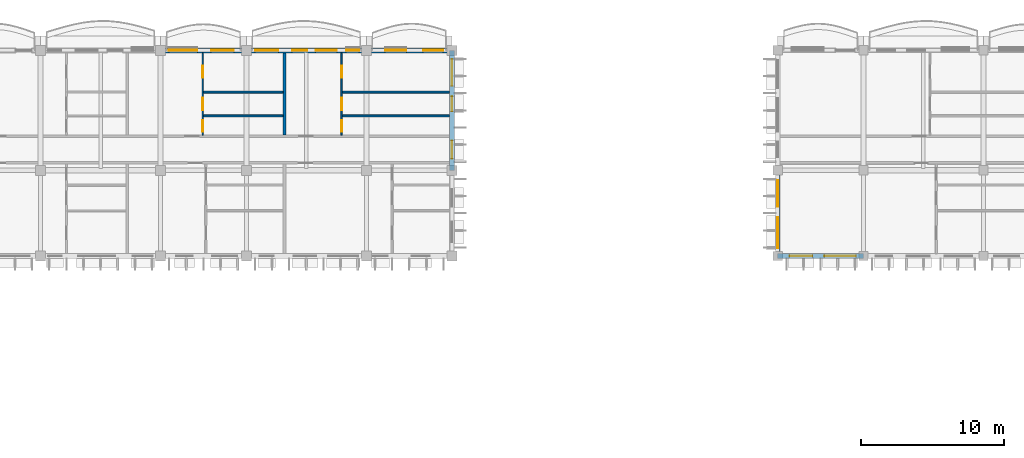
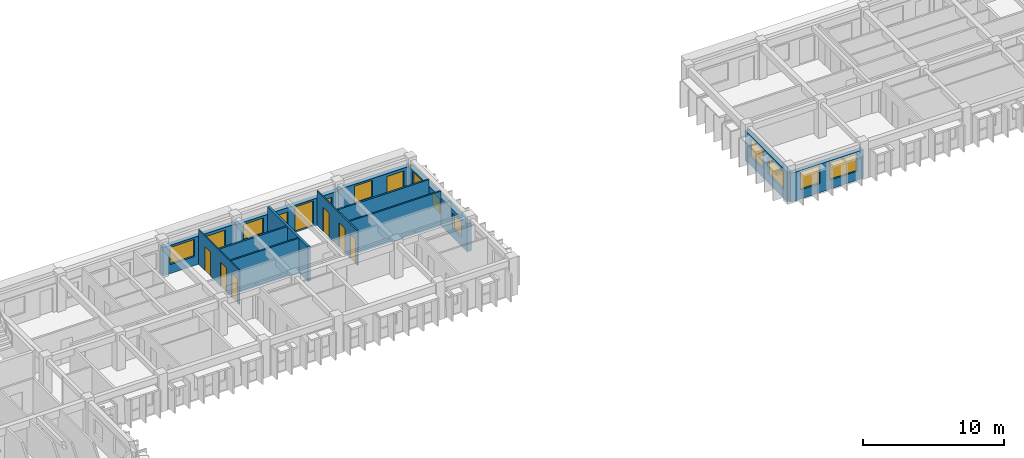
# One storey, part 26 of 70: 13 walls, 12 windows, 9 doors, 21 openings.
"""IFC4 building model written with IfcOpenShell, lengths in metres."""

from ifc_helpers import new_model, si_unit, direction, frame, frame_2d, origin, place, context, subcontext, project, spatial, rectangle, extrude, material, layer, layer_set, type_object, element, fill, save


model = new_model("IFC4")

# Units and contexts
model_context = context("Model", 3, precision=1e-05, world=origin(), true_north=direction((0.0, 1.0)))
body_context = subcontext(model_context, "Body", "Model", "MODEL_VIEW")
ifc_project = project(units=[si_unit("LENGTHUNIT", "METRE"), si_unit("AREAUNIT", "SQUARE_METRE"), si_unit("VOLUMEUNIT", "CUBIC_METRE"), si_unit("PLANEANGLEUNIT", "RADIAN"), si_unit("MASSUNIT", "GRAM", prefix="KILO"), si_unit("THERMODYNAMICTEMPERATUREUNIT", "KELVIN")], contexts=[model_context])

# Site, building, storey
site_placement = place(None, origin())
site = spatial("IfcSite", under=ifc_project, at=site_placement, CompositionType="ELEMENT")
building_placement = place(site_placement, origin())
building = spatial("IfcBuilding", under=site, at=building_placement, Name="Thalorik Housing Commons", CompositionType="ELEMENT")
storey_placement = place(building_placement, frame((0.0, 0.0, 14.699951171875)))
storey = spatial("IfcBuildingStorey", under=building, at=storey_placement, Name="L04", CompositionType="ELEMENT", Elevation=14.699951171875)

# Wall, openings, windows
ifc_material_1 = material(Name="White precast concrete C40/50", Category="concrete")
ifc_layer_1 = layer(ifc_material_1, 0.3349609375, Name="White precast concrete C40/50", Category="concrete")
ifc_layer_set_1 = layer_set([ifc_layer_1], Name="White precast concrete C40/50")
wall_type_1 = type_object("IfcWallType", Name="ARC-WAL-EXT-335", PredefinedType="STANDARD", material=ifc_layer_set_1)
wall_1_placement = place(storey_placement, frame((80.39990234375, 115.199951171875, 0.0), z_axis=(0.0, 0.0, 1.0), x_axis=(0.0, -1.0, 0.0)))
wall_1 = element("IfcWall", 1, at=wall_1_placement, inside=storey, type_object=wall_type_1, Name="L04 Exterior Wall WAL-EXT-L04-B-0537", PredefinedType="STANDARD", context=body_context, shape_type="SweptSolid", body=[
    extrude(rectangle(XDim=6.0, YDim=0.3349609375, at=frame_2d((3.0, 0.0))), origin(), (0.0, 0.0, 1.0), 2.574951171875),
])
opening_1_placement = place(wall_1_placement, frame((0.705078125, 0.0, 0.780029296875)))
opening_1 = element("IfcOpeningElement", 2, at=opening_1_placement, cuts=wall_1, Name="Opening W-20", PredefinedType="OPENING", context=body_context, shape_type="SweptSolid", body=[
    extrude(rectangle(XDim=1.85009765625, YDim=1.60009765625, at=frame_2d((0.925048828125, 0.800048828125))), frame((0.0, 0.177490234375, 0.0), z_axis=(0.0, -1.0, 0.0), x_axis=(1.0, 0.0, 0.0)), (0.0, 0.0, 1.0), 0.35498046875),
])
opening_2_placement = place(wall_1_placement, frame((3.27001953125, 0.0, 0.780029296875)))
opening_2 = element("IfcOpeningElement", 3, at=opening_2_placement, cuts=wall_1, Name="Opening W-29", PredefinedType="OPENING", context=body_context, shape_type="SweptSolid", body=[
    extrude(rectangle(XDim=2.199951171875, YDim=1.5, at=frame_2d((1.10009765625, 0.75))), frame((0.0, 0.177490234375, 0.0), z_axis=(0.0, -1.0, 0.0), x_axis=(1.0, 0.0, 0.0)), (0.0, 0.0, 1.0), 0.35498046875),
])
ifc_material_2 = material(Name="Anodised aluminium and solar-control low-E glass", Category="aluminium")
window_type_1 = type_object("IfcWindowType", Name="ARC-WIN-20", PartitioningType="DOUBLE_PANEL_VERTICAL", PredefinedType="WINDOW", material=ifc_material_2)
window_1_placement = place(opening_1_placement, origin())
window_1 = element("IfcWindow", 4, at=window_1_placement, inside=storey, type_object=window_type_1, Name="L04 Facade Window 965", OverallHeight=1.60009765625, OverallWidth=1.85009765625, PartitioningType="DOUBLE_PANEL_VERTICAL", PredefinedType="WINDOW", context=body_context, shape_type="SweptSolid", body=[
    extrude(rectangle(XDim=1.85009765625, YDim=1.60009765625, at=frame_2d((0.925048828125, 0.800048828125))), frame((0.0, 0.030029296875, 0.0), z_axis=(0.0, -1.0, 0.0), x_axis=(1.0, 0.0, 0.0)), (0.0, 0.0, 1.0), 0.06005859375),
])
fill(opening_1, window_1)
window_type_2 = type_object("IfcWindowType", Name="ARC-WIN-29", PartitioningType="DOUBLE_PANEL_VERTICAL", PredefinedType="WINDOW", material=ifc_material_2)
window_2_placement = place(opening_2_placement, origin())
window_2 = element("IfcWindow", 5, at=window_2_placement, inside=storey, type_object=window_type_2, Name="L04 Facade Window 966", OverallHeight=1.5, OverallWidth=2.199951171875, PartitioningType="DOUBLE_PANEL_VERTICAL", PredefinedType="WINDOW", context=body_context, shape_type="SweptSolid", body=[
    extrude(rectangle(XDim=2.199951171875, YDim=1.5, at=frame_2d((1.10009765625, 0.75))), frame((0.0, 0.030029296875, 0.0), z_axis=(0.0, -1.0, 0.0), x_axis=(1.0, 0.0, 0.0)), (0.0, 0.0, 1.0), 0.06005859375),
])
fill(opening_2, window_2)

wall_2_placement = place(storey_placement, frame((80.39990234375, 109.199951171875, 0.0), z_axis=(0.0, 0.0, 1.0), x_axis=(1.0, 0.0, 0.0)))
wall_2 = element("IfcWall", 6, at=wall_2_placement, inside=storey, type_object=wall_type_1, Name="L04 Exterior Wall WAL-EXT-L04-B-0538", PredefinedType="STANDARD", context=body_context, shape_type="SweptSolid", body=[
    extrude(rectangle(XDim=6.0, YDim=0.3349609375, at=frame_2d((3.0, 0.0))), origin(), (0.0, 0.0, 1.0), 2.47509765625),
])
opening_3_placement = place(wall_2_placement, frame((0.830078125, 0.0, 0.780029296875)))
opening_3 = element("IfcOpeningElement", 7, at=opening_3_placement, cuts=wall_2, Name="Opening W-13", PredefinedType="OPENING", context=body_context, shape_type="SweptSolid", body=[
    extrude(rectangle(XDim=1.60009765625, YDim=1.550048828125, at=frame_2d((0.800048828125, 0.77490234375))), frame((0.0, 0.177490234375, 0.0), z_axis=(0.0, -1.0, 0.0), x_axis=(1.0, 0.0, 0.0)), (0.0, 0.0, 1.0), 0.35498046875),
])
opening_4_placement = place(wall_2_placement, frame((3.27001953125, 0.0, 0.780029296875)))
opening_4 = element("IfcOpeningElement", 8, at=opening_4_placement, cuts=wall_2, Name="Opening W-29", PredefinedType="OPENING", context=body_context, shape_type="SweptSolid", body=[
    extrude(rectangle(XDim=2.199951171875, YDim=1.5, at=frame_2d((1.10009765625, 0.75))), frame((0.0, 0.177490234375, 0.0), z_axis=(0.0, -1.0, 0.0), x_axis=(1.0, 0.0, 0.0)), (0.0, 0.0, 1.0), 0.35498046875),
])
window_type_3 = type_object("IfcWindowType", Name="ARC-WIN-13", PartitioningType="DOUBLE_PANEL_VERTICAL", PredefinedType="WINDOW", material=ifc_material_2)
window_3_placement = place(opening_3_placement, origin())
window_3 = element("IfcWindow", 9, at=window_3_placement, inside=storey, type_object=window_type_3, Name="L04 Facade Window 967", OverallHeight=1.550048828125, OverallWidth=1.60009765625, PartitioningType="DOUBLE_PANEL_VERTICAL", PredefinedType="WINDOW", context=body_context, shape_type="SweptSolid", body=[
    extrude(rectangle(XDim=1.60009765625, YDim=1.550048828125, at=frame_2d((0.800048828125, 0.77490234375))), frame((0.0, 0.030029296875, 0.0), z_axis=(0.0, -1.0, 0.0), x_axis=(1.0, 0.0, 0.0)), (0.0, 0.0, 1.0), 0.06005859375),
])
fill(opening_3, window_3)
window_4_placement = place(opening_4_placement, origin())
window_4 = element("IfcWindow", 10, at=window_4_placement, inside=storey, type_object=window_type_2, Name="L04 Facade Window 968", OverallHeight=1.5, OverallWidth=2.199951171875, PartitioningType="DOUBLE_PANEL_VERTICAL", PredefinedType="WINDOW", context=body_context, shape_type="SweptSolid", body=[
    extrude(rectangle(XDim=2.199951171875, YDim=1.5, at=frame_2d((1.10009765625, 0.75))), frame((0.0, 0.030029296875, 0.0), z_axis=(0.0, -1.0, 0.0), x_axis=(1.0, 0.0, 0.0)), (0.0, 0.0, 1.0), 0.06005859375),
])
fill(opening_4, window_4)

ifc_layer_2 = layer(ifc_material_1, 0.35009765625, Name="White precast concrete C40/50", Category="concrete")
ifc_layer_set_2 = layer_set([ifc_layer_2], Name="White precast concrete C40/50")
wall_type_2 = type_object("IfcWallType", Name="ARC-WAL-EXT-350", PredefinedType="STANDARD", material=ifc_layer_set_2)
wall_3_placement = place(storey_placement, frame((57.60009765625, 115.199951171875, 0.0), z_axis=(0.0, 0.0, 1.0), x_axis=(0.0, 1.0, 0.0)))
wall_3 = element("IfcWall", 11, at=wall_3_placement, inside=storey, type_object=wall_type_2, Name="L04 Exterior Wall WAL-EXT-L04-A-0119", PredefinedType="STANDARD", context=body_context, shape_type="SweptSolid", body=[
    extrude(rectangle(XDim=8.400146484375, YDim=0.35009765625, at=frame_2d((4.2001953125, 0.0))), origin(), (0.0, 0.0, 1.0), 2.425048828125),
])
opening_5_placement = place(wall_3_placement, frame((0.824951171875, 0.0, 0.780029296875)))
opening_5 = element("IfcOpeningElement", 12, at=opening_5_placement, cuts=wall_3, Name="Opening W-46", PredefinedType="OPENING", context=body_context, shape_type="SweptSolid", body=[
    extrude(rectangle(XDim=1.25, YDim=1.300048828125, at=frame_2d((0.625, 0.64990234375))), frame((0.0, 0.18505859375, 0.0), z_axis=(0.0, -1.0, 0.0), x_axis=(1.0, 0.0, 0.0)), (0.0, 0.0, 1.0), 0.3701171875),
])
opening_6_placement = place(wall_3_placement, frame((4.119873046875, 0.0, 0.780029296875)))
opening_6 = element("IfcOpeningElement", 13, at=opening_6_placement, cuts=wall_3, Name="Opening W-44", PredefinedType="OPENING", context=body_context, shape_type="SweptSolid", body=[
    extrude(rectangle(XDim=1.050048828125, YDim=1.199951171875, at=frame_2d((0.52490234375, 0.60009765625))), frame((0.0, 0.18505859375, 0.0), z_axis=(0.0, -1.0, 0.0), x_axis=(1.0, 0.0, 0.0)), (0.0, 0.0, 1.0), 0.3701171875),
])
opening_7_placement = place(wall_3_placement, frame((5.904541015625, 0.0, 0.780029296875)))
opening_7 = element("IfcOpeningElement", 14, at=opening_7_placement, cuts=wall_3, Name="Opening W-59", PredefinedType="OPENING", context=body_context, shape_type="SweptSolid", body=[
    extrude(rectangle(XDim=1.8798828125, YDim=1.52001953125, at=frame_2d((0.93994140625, 0.760009765625))), frame((0.0, 0.18505859375, 0.0), z_axis=(0.0, -1.0, 0.0), x_axis=(1.0, 0.0, 0.0)), (0.0, 0.0, 1.0), 0.3701171875),
])
window_type_4 = type_object("IfcWindowType", Name="ARC-WIN-44", PartitioningType="SINGLE_PANEL", PredefinedType="WINDOW", material=ifc_material_2)
window_5_placement = place(opening_6_placement, origin())
window_5 = element("IfcWindow", 15, at=window_5_placement, inside=storey, type_object=window_type_4, Name="L04 Facade Window 213", OverallHeight=1.199951171875, OverallWidth=1.050048828125, PartitioningType="SINGLE_PANEL", PredefinedType="WINDOW", context=body_context, shape_type="SweptSolid", body=[
    extrude(rectangle(XDim=1.050048828125, YDim=1.199951171875, at=frame_2d((0.52490234375, 0.60009765625))), frame((0.0, 0.030029296875, 0.0), z_axis=(0.0, -1.0, 0.0), x_axis=(1.0, 0.0, 0.0)), (0.0, 0.0, 1.0), 0.06005859375),
])
fill(opening_6, window_5)
window_type_5 = type_object("IfcWindowType", Name="ARC-WIN-46", PartitioningType="SINGLE_PANEL", PredefinedType="WINDOW", material=ifc_material_2)
window_6_placement = place(opening_5_placement, origin())
window_6 = element("IfcWindow", 16, at=window_6_placement, inside=storey, type_object=window_type_5, Name="L04 Facade Window 212", OverallHeight=1.300048828125, OverallWidth=1.25, PartitioningType="SINGLE_PANEL", PredefinedType="WINDOW", context=body_context, shape_type="SweptSolid", body=[
    extrude(rectangle(XDim=1.25, YDim=1.300048828125, at=frame_2d((0.625, 0.64990234375))), frame((0.0, 0.030029296875, 0.0), z_axis=(0.0, -1.0, 0.0), x_axis=(1.0, 0.0, 0.0)), (0.0, 0.0, 1.0), 0.06005859375),
])
fill(opening_5, window_6)
window_type_6 = type_object("IfcWindowType", Name="ARC-WIN-59", PartitioningType="DOUBLE_PANEL_VERTICAL", PredefinedType="WINDOW", material=ifc_material_2)
window_7_placement = place(opening_7_placement, origin())
window_7 = element("IfcWindow", 17, at=window_7_placement, inside=storey, type_object=window_type_6, Name="L04 Facade Window 214", OverallHeight=1.52001953125, OverallWidth=1.8798828125, PartitioningType="DOUBLE_PANEL_VERTICAL", PredefinedType="WINDOW", context=body_context, shape_type="SweptSolid", body=[
    extrude(rectangle(XDim=1.8798828125, YDim=1.52001953125, at=frame_2d((0.93994140625, 0.760009765625))), frame((0.0, 0.030029296875, 0.0), z_axis=(0.0, -1.0, 0.0), x_axis=(1.0, 0.0, 0.0)), (0.0, 0.0, 1.0), 0.06005859375),
])
fill(opening_7, window_7)

# Wall, openings, door, window
wall_4_placement = place(storey_placement, frame((57.60009765625, 123.60009765625, 0.0), z_axis=(0.0, 0.0, 1.0), x_axis=(-1.0, 0.0, 0.0)))
wall_4 = element("IfcWall", 18, at=wall_4_placement, inside=storey, type_object=wall_type_2, Name="L04 Exterior Wall WAL-EXT-L04-A-0120", PredefinedType="STANDARD", context=body_context, shape_type="SweptSolid", body=[
    extrude(rectangle(XDim=6.0, YDim=0.35009765625, at=frame_2d((3.0, 0.0))), origin(), (0.0, 0.0, 1.0), 2.445068359375),
])
opening_8_placement = place(wall_4_placement, frame((0.6201171875, 0.0, 0.0)))
opening_8 = element("IfcOpeningElement", 19, at=opening_8_placement, cuts=wall_4, Name="Opening ED-0030", PredefinedType="OPENING", context=body_context, shape_type="SweptSolid", body=[
    extrude(rectangle(XDim=1.39990234375, YDim=2.199951171875, at=frame_2d((0.699951171875, 1.10009765625))), frame((0.0, 0.18505859375, 0.0), z_axis=(0.0, -1.0, 0.0), x_axis=(1.0, 0.0, 0.0)), (0.0, 0.0, 1.0), 0.3701171875),
])
opening_9_placement = place(wall_4_placement, frame((3.199951171875, 0.0, 0.780029296875)))
opening_9 = element("IfcOpeningElement", 20, at=opening_9_placement, cuts=wall_4, Name="Opening W-51", PredefinedType="OPENING", context=body_context, shape_type="SweptSolid", body=[
    extrude(rectangle(XDim=1.47998046875, YDim=1.52001953125, at=frame_2d((0.739990234375, 0.760009765625))), frame((0.0, 0.18505859375, 0.0), z_axis=(0.0, -1.0, 0.0), x_axis=(1.0, 0.0, 0.0)), (0.0, 0.0, 1.0), 0.3701171875),
])
ifc_material_3 = material(Name="Anodised aluminium and laminated safety glass", Category="aluminium")
door_type_1 = type_object("IfcDoorType", Name="ARC-DR-BAL-1400", OperationType="NOTDEFINED", PredefinedType="DOOR", material=ifc_material_3)
door_1_placement = place(opening_8_placement, frame((1.39990234375, 0.0, 0.0), z_axis=(0.0, 0.0, 1.0), x_axis=(-1.0, 0.0, 0.0)))
door_1 = element("IfcDoor", 21, at=door_1_placement, inside=storey, type_object=door_type_1, Name="L04 Block A Balcony Glazed Door", OperationType="SLIDING_TO_LEFT", OverallHeight=2.199951171875, OverallWidth=1.39990234375, PredefinedType="DOOR", context=body_context, shape_type="SweptSolid", body=[
    extrude(rectangle(XDim=1.39990234375, YDim=2.199951171875, at=frame_2d((0.699951171875, 1.10009765625))), frame((0.0, 0.02490234375, 0.0), z_axis=(0.0, -1.0, 0.0), x_axis=(1.0, 0.0, 0.0)), (0.0, 0.0, 1.0), 0.050048828125),
])
fill(opening_8, door_1)
window_type_7 = type_object("IfcWindowType", Name="ARC-WIN-51", PartitioningType="SINGLE_PANEL", PredefinedType="WINDOW", material=ifc_material_2)
window_8_placement = place(opening_9_placement, origin())
window_8 = element("IfcWindow", 22, at=window_8_placement, inside=storey, type_object=window_type_7, Name="L04 Facade Window 215", OverallHeight=1.52001953125, OverallWidth=1.47998046875, PartitioningType="SINGLE_PANEL", PredefinedType="WINDOW", context=body_context, shape_type="SweptSolid", body=[
    extrude(rectangle(XDim=1.47998046875, YDim=1.52001953125, at=frame_2d((0.739990234375, 0.760009765625))), frame((0.0, 0.030029296875, 0.0), z_axis=(0.0, -1.0, 0.0), x_axis=(1.0, 0.0, 0.0)), (0.0, 0.0, 1.0), 0.06005859375),
])
fill(opening_9, window_8)

# Wall, openings, door, windows
wall_5_placement = place(storey_placement, frame((51.60009765625, 123.60009765625, 0.0), z_axis=(0.0, 0.0, 1.0), x_axis=(-1.0, 0.0, 0.0)))
wall_5 = element("IfcWall", 23, at=wall_5_placement, inside=storey, type_object=wall_type_2, Name="L04 Exterior Wall WAL-EXT-L04-A-0121", PredefinedType="STANDARD", context=body_context, shape_type="SweptSolid", body=[
    extrude(rectangle(XDim=8.400146484375, YDim=0.35009765625, at=frame_2d((4.2001953125, 0.0))), origin(), (0.0, 0.0, 1.0), 2.344970703125),
])
opening_10_placement = place(wall_5_placement, frame((2.05322265625, 0.0, 0.0)))
opening_10 = element("IfcOpeningElement", 24, at=opening_10_placement, cuts=wall_5, Name="Opening ED-0031", PredefinedType="OPENING", context=body_context, shape_type="SweptSolid", body=[
    extrude(rectangle(XDim=1.5, YDim=2.199951171875, at=frame_2d((0.75, 1.10009765625))), frame((0.0, 0.18505859375, 0.0), z_axis=(0.0, -1.0, 0.0), x_axis=(1.0, 0.0, 0.0)), (0.0, 0.0, 1.0), 0.3701171875),
])
opening_11_placement = place(wall_5_placement, frame((0.506591796875, 0.0, 0.780029296875)))
opening_11 = element("IfcOpeningElement", 25, at=opening_11_placement, cuts=wall_5, Name="Opening W-01", PredefinedType="OPENING", context=body_context, shape_type="SweptSolid", body=[
    extrude(rectangle(XDim=0.89990234375, YDim=1.199951171875, at=frame_2d((0.449951171875, 0.60009765625))), frame((0.0, 0.18505859375, 0.0), z_axis=(0.0, -1.0, 0.0), x_axis=(1.0, 0.0, 0.0)), (0.0, 0.0, 1.0), 0.3701171875),
])
opening_12_placement = place(wall_5_placement, frame((4.13671875, 0.0, 0.780029296875)))
opening_12 = element("IfcOpeningElement", 26, at=opening_12_placement, cuts=wall_5, Name="Opening W-44", PredefinedType="OPENING", context=body_context, shape_type="SweptSolid", body=[
    extrude(rectangle(XDim=1.050048828125, YDim=1.199951171875, at=frame_2d((0.52490234375, 0.60009765625))), frame((0.0, 0.18505859375, 0.0), z_axis=(0.0, -1.0, 0.0), x_axis=(1.0, 0.0, 0.0)), (0.0, 0.0, 1.0), 0.3701171875),
])
opening_13_placement = place(wall_5_placement, frame((6.155029296875, 0.0, 0.780029296875)))
opening_13 = element("IfcOpeningElement", 27, at=opening_13_placement, cuts=wall_5, Name="Opening W-54", PredefinedType="OPENING", context=body_context, shape_type="SweptSolid", body=[
    extrude(rectangle(XDim=1.6201171875, YDim=1.3798828125, at=frame_2d((0.81005859375, 0.68994140625))), frame((0.0, 0.18505859375, 0.0), z_axis=(0.0, -1.0, 0.0), x_axis=(1.0, 0.0, 0.0)), (0.0, 0.0, 1.0), 0.3701171875),
])
door_type_2 = type_object("IfcDoorType", Name="ARC-DR-BAL-1500", OperationType="NOTDEFINED", PredefinedType="DOOR", material=ifc_material_3)
door_2_placement = place(opening_10_placement, frame((1.5, 0.0, 0.0), z_axis=(0.0, 0.0, 1.0), x_axis=(-1.0, 0.0, 0.0)))
door_2 = element("IfcDoor", 28, at=door_2_placement, inside=storey, type_object=door_type_2, Name="L04 Block A Balcony Glazed Door", OperationType="SLIDING_TO_RIGHT", OverallHeight=2.199951171875, OverallWidth=1.5, PredefinedType="DOOR", context=body_context, shape_type="SweptSolid", body=[
    extrude(rectangle(XDim=1.5, YDim=2.199951171875, at=frame_2d((0.75, 1.10009765625))), frame((0.0, 0.02490234375, 0.0), z_axis=(0.0, -1.0, 0.0), x_axis=(1.0, 0.0, 0.0)), (0.0, 0.0, 1.0), 0.050048828125),
])
fill(opening_10, door_2)
window_type_8 = type_object("IfcWindowType", Name="ARC-WIN-01", PartitioningType="SINGLE_PANEL", PredefinedType="WINDOW", material=ifc_material_2)
window_9_placement = place(opening_11_placement, origin())
window_9 = element("IfcWindow", 29, at=window_9_placement, inside=storey, type_object=window_type_8, Name="L04 Facade Window 216", OverallHeight=1.199951171875, OverallWidth=0.89990234375, PartitioningType="SINGLE_PANEL", PredefinedType="WINDOW", context=body_context, shape_type="SweptSolid", body=[
    extrude(rectangle(XDim=0.89990234375, YDim=1.199951171875, at=frame_2d((0.449951171875, 0.60009765625))), frame((0.0, 0.030029296875, 0.0), z_axis=(0.0, -1.0, 0.0), x_axis=(1.0, 0.0, 0.0)), (0.0, 0.0, 1.0), 0.06005859375),
])
fill(opening_11, window_9)
window_10_placement = place(opening_12_placement, origin())
window_10 = element("IfcWindow", 30, at=window_10_placement, inside=storey, type_object=window_type_4, Name="L04 Facade Window 217", OverallHeight=1.199951171875, OverallWidth=1.050048828125, PartitioningType="SINGLE_PANEL", PredefinedType="WINDOW", context=body_context, shape_type="SweptSolid", body=[
    extrude(rectangle(XDim=1.050048828125, YDim=1.199951171875, at=frame_2d((0.52490234375, 0.60009765625))), frame((0.0, 0.030029296875, 0.0), z_axis=(0.0, -1.0, 0.0), x_axis=(1.0, 0.0, 0.0)), (0.0, 0.0, 1.0), 0.06005859375),
])
fill(opening_12, window_10)
window_type_9 = type_object("IfcWindowType", Name="ARC-WIN-54", PartitioningType="DOUBLE_PANEL_VERTICAL", PredefinedType="WINDOW", material=ifc_material_2)
window_11_placement = place(opening_13_placement, origin())
window_11 = element("IfcWindow", 31, at=window_11_placement, inside=storey, type_object=window_type_9, Name="L04 Facade Window 218", OverallHeight=1.3798828125, OverallWidth=1.6201171875, PartitioningType="DOUBLE_PANEL_VERTICAL", PredefinedType="WINDOW", context=body_context, shape_type="SweptSolid", body=[
    extrude(rectangle(XDim=1.6201171875, YDim=1.3798828125, at=frame_2d((0.81005859375, 0.68994140625))), frame((0.0, 0.030029296875, 0.0), z_axis=(0.0, -1.0, 0.0), x_axis=(1.0, 0.0, 0.0)), (0.0, 0.0, 1.0), 0.06005859375),
])
fill(opening_13, window_11)

# Wall, openings, door, window
wall_6_placement = place(storey_placement, frame((43.199951171875, 123.60009765625, 0.0), z_axis=(0.0, 0.0, 1.0), x_axis=(-1.0, 0.0, 0.0)))
wall_6 = element("IfcWall", 32, at=wall_6_placement, inside=storey, type_object=wall_type_2, Name="L04 Exterior Wall WAL-EXT-L04-A-0122", PredefinedType="STANDARD", context=body_context, shape_type="SweptSolid", body=[
    extrude(rectangle(XDim=6.0, YDim=0.35009765625, at=frame_2d((3.0, 0.0))), origin(), (0.0, 0.0, 1.0), 2.445068359375),
])
opening_14_placement = place(wall_6_placement, frame((0.86767578125, 0.0, 0.0)))
opening_14 = element("IfcOpeningElement", 33, at=opening_14_placement, cuts=wall_6, Name="Opening ED-0032", PredefinedType="OPENING", context=body_context, shape_type="SweptSolid", body=[
    extrude(rectangle(XDim=1.60009765625, YDim=2.199951171875, at=frame_2d((0.800048828125, 1.10009765625))), frame((0.0, 0.18505859375, 0.0), z_axis=(0.0, -1.0, 0.0), x_axis=(1.0, 0.0, 0.0)), (0.0, 0.0, 1.0), 0.3701171875),
])
opening_15_placement = place(wall_6_placement, frame((3.427490234375, 0.0, 0.780029296875)))
opening_15 = element("IfcOpeningElement", 34, at=opening_15_placement, cuts=wall_6, Name="Opening W-23", PredefinedType="OPENING", context=body_context, shape_type="SweptSolid", body=[
    extrude(rectangle(XDim=2.0, YDim=1.5, at=frame_2d((1.0, 0.75))), frame((0.0, 0.18505859375, 0.0), z_axis=(0.0, -1.0, 0.0), x_axis=(1.0, 0.0, 0.0)), (0.0, 0.0, 1.0), 0.3701171875),
])
door_type_3 = type_object("IfcDoorType", Name="ARC-DR-BAL-1600", OperationType="NOTDEFINED", PredefinedType="DOOR", material=ifc_material_3)
door_3_placement = place(opening_14_placement, frame((1.60009765625, 0.0, 0.0), z_axis=(0.0, 0.0, 1.0), x_axis=(-1.0, 0.0, 0.0)))
door_3 = element("IfcDoor", 35, at=door_3_placement, inside=storey, type_object=door_type_3, Name="L04 Block A Balcony Glazed Door", OperationType="SLIDING_TO_LEFT", OverallHeight=2.199951171875, OverallWidth=1.60009765625, PredefinedType="DOOR", context=body_context, shape_type="SweptSolid", body=[
    extrude(rectangle(XDim=1.60009765625, YDim=2.199951171875, at=frame_2d((0.800048828125, 1.10009765625))), frame((0.0, 0.02490234375, 0.0), z_axis=(0.0, -1.0, 0.0), x_axis=(1.0, 0.0, 0.0)), (0.0, 0.0, 1.0), 0.050048828125),
])
fill(opening_14, door_3)
window_type_10 = type_object("IfcWindowType", Name="ARC-WIN-23", PartitioningType="DOUBLE_PANEL_VERTICAL", PredefinedType="WINDOW", material=ifc_material_2)
window_12_placement = place(opening_15_placement, origin())
window_12 = element("IfcWindow", 36, at=window_12_placement, inside=storey, type_object=window_type_10, Name="L04 Facade Window 219", OverallHeight=1.5, OverallWidth=2.0, PartitioningType="DOUBLE_PANEL_VERTICAL", PredefinedType="WINDOW", context=body_context, shape_type="SweptSolid", body=[
    extrude(rectangle(XDim=2.0, YDim=1.5, at=frame_2d((1.0, 0.75))), frame((0.0, 0.030029296875, 0.0), z_axis=(0.0, -1.0, 0.0), x_axis=(1.0, 0.0, 0.0)), (0.0, 0.0, 1.0), 0.06005859375),
])
fill(opening_15, window_12)

# Wall, openings, doors
ifc_material_4 = material(Name="Gypsum light stud partition", Category="masonry")
ifc_layer_3 = layer(ifc_material_4, 0.10009765625, Name="Gypsum light stud partition", Category="masonry")
ifc_layer_set_3 = layer_set([ifc_layer_3], Name="Gypsum light stud partition")
wall_type_3 = type_object("IfcWallType", Name="ARC-WAL-PART-100", PredefinedType="PARTITIONING", material=ifc_layer_set_3)
wall_7_placement = place(storey_placement, frame((40.15478515625, 117.656982421875, 0.0), z_axis=(0.0, 0.0, 1.0), x_axis=(0.0, 1.0, 0.0)))
wall_7 = element("IfcWall", 37, at=wall_7_placement, inside=storey, type_object=wall_type_3, Name="L04 Unit 2B Spine Partition", PredefinedType="PARTITIONING", context=body_context, shape_type="SweptSolid", body=[
    extrude(rectangle(XDim=5.76611328125, YDim=0.10009765625, at=frame_2d((2.883056640625, 0.0))), origin(), (0.0, 0.0, 1.0), 3.0),
])
opening_16_placement = place(wall_7_placement, frame((0.23828125, 0.0, 0.0)))
opening_16 = element("IfcOpeningElement", 38, at=opening_16_placement, cuts=wall_7, Name="Opening ID-0558", PredefinedType="OPENING", context=body_context, shape_type="SweptSolid", body=[
    extrude(rectangle(XDim=0.800048828125, YDim=2.10009765625, at=frame_2d((0.39990234375, 1.050048828125))), frame((0.0, 0.06005859375, 0.0), z_axis=(0.0, -1.0, 0.0), x_axis=(1.0, 0.0, 0.0)), (0.0, 0.0, 1.0), 0.1201171875),
])
opening_17_placement = place(wall_7_placement, frame((1.7626953125, 0.0, 0.0)))
opening_17 = element("IfcOpeningElement", 39, at=opening_17_placement, cuts=wall_7, Name="Opening ID-0559", PredefinedType="OPENING", context=body_context, shape_type="SweptSolid", body=[
    extrude(rectangle(XDim=0.85009765625, YDim=2.10009765625, at=frame_2d((0.425048828125, 1.050048828125))), frame((0.0, 0.06005859375, 0.0), z_axis=(0.0, -1.0, 0.0), x_axis=(1.0, 0.0, 0.0)), (0.0, 0.0, 1.0), 0.1201171875),
])
opening_18_placement = place(wall_7_placement, frame((4.027587890625, 0.0, 0.0)))
opening_18 = element("IfcOpeningElement", 40, at=opening_18_placement, cuts=wall_7, Name="Opening ID-0560", PredefinedType="OPENING", context=body_context, shape_type="SweptSolid", body=[
    extrude(rectangle(XDim=0.820068359375, YDim=2.080078125, at=frame_2d((0.41015625, 1.0400390625))), frame((0.0, 0.06005859375, 0.0), z_axis=(0.0, -1.0, 0.0), x_axis=(1.0, 0.0, 0.0)), (0.0, 0.0, 1.0), 0.1201171875),
])
ifc_material_5 = material(Name="Moisture-resistant timber", Category="wood")
door_type_4 = type_object("IfcDoorType", Name="ARC-DR-INT-800", OperationType="NOTDEFINED", PredefinedType="DOOR", material=ifc_material_5)
door_4_placement = place(opening_16_placement, origin())
door_4 = element("IfcDoor", 41, at=door_4_placement, inside=storey, type_object=door_type_4, Name="L04 Flat Bathroom Door", OperationType="SINGLE_SWING_LEFT", OverallHeight=2.10009765625, OverallWidth=0.800048828125, PredefinedType="DOOR", context=body_context, shape_type="SweptSolid", body=[
    extrude(rectangle(XDim=0.800048828125, YDim=2.10009765625, at=frame_2d((0.39990234375, 1.050048828125))), frame((0.0, 0.02490234375, 0.0), z_axis=(0.0, -1.0, 0.0), x_axis=(1.0, 0.0, 0.0)), (0.0, 0.0, 1.0), 0.050048828125),
])
fill(opening_16, door_4)
ifc_material_6 = material(Name="Engineered oak timber", Category="wood")
door_type_5 = type_object("IfcDoorType", Name="ARC-DR-INT-820", OperationType="NOTDEFINED", PredefinedType="DOOR", material=ifc_material_6)
door_5_placement = place(opening_18_placement, origin())
door_5 = element("IfcDoor", 42, at=door_5_placement, inside=storey, type_object=door_type_5, Name="L04 Master Bedroom Door", OperationType="SINGLE_SWING_LEFT", OverallHeight=2.080078125, OverallWidth=0.820068359375, PredefinedType="DOOR", context=body_context, shape_type="SweptSolid", body=[
    extrude(rectangle(XDim=0.820068359375, YDim=2.080078125, at=frame_2d((0.41015625, 1.0400390625))), frame((0.0, 0.02490234375, 0.0), z_axis=(0.0, -1.0, 0.0), x_axis=(1.0, 0.0, 0.0)), (0.0, 0.0, 1.0), 0.050048828125),
])
fill(opening_18, door_5)
door_type_6 = type_object("IfcDoorType", Name="ARC-DR-INT-850", OperationType="NOTDEFINED", PredefinedType="DOOR", material=ifc_material_6)
door_6_placement = place(opening_17_placement, origin())
door_6 = element("IfcDoor", 43, at=door_6_placement, inside=storey, type_object=door_type_6, Name="L04 Galley Kitchen Door", OperationType="SINGLE_SWING_RIGHT", OverallHeight=2.10009765625, OverallWidth=0.85009765625, PredefinedType="DOOR", context=body_context, shape_type="SweptSolid", body=[
    extrude(rectangle(XDim=0.85009765625, YDim=2.10009765625, at=frame_2d((0.425048828125, 1.050048828125))), frame((0.0, 0.02490234375, 0.0), z_axis=(0.0, -1.0, 0.0), x_axis=(1.0, 0.0, 0.0)), (0.0, 0.0, 1.0), 0.050048828125),
])
fill(opening_17, door_6)

wall_8_placement = place(storey_placement, frame((49.876708984375, 117.656982421875, 0.0), z_axis=(0.0, 0.0, 1.0), x_axis=(0.0, 1.0, 0.0)))
wall_8 = element("IfcWall", 44, at=wall_8_placement, inside=storey, type_object=wall_type_3, Name="L04 Unit 3B Spine Partition", PredefinedType="PARTITIONING", context=body_context, shape_type="SweptSolid", body=[
    extrude(rectangle(XDim=5.76611328125, YDim=0.10009765625, at=frame_2d((2.883056640625, 0.0))), origin(), (0.0, 0.0, 1.0), 3.0),
])
opening_19_placement = place(wall_8_placement, frame((0.23828125, 0.0, 0.0)))
opening_19 = element("IfcOpeningElement", 45, at=opening_19_placement, cuts=wall_8, Name="Opening ID-0564", PredefinedType="OPENING", context=body_context, shape_type="SweptSolid", body=[
    extrude(rectangle(XDim=0.800048828125, YDim=2.10009765625, at=frame_2d((0.39990234375, 1.050048828125))), frame((0.0, 0.06005859375, 0.0), z_axis=(0.0, -1.0, 0.0), x_axis=(1.0, 0.0, 0.0)), (0.0, 0.0, 1.0), 0.1201171875),
])
opening_20_placement = place(wall_8_placement, frame((1.7626953125, 0.0, 0.0)))
opening_20 = element("IfcOpeningElement", 46, at=opening_20_placement, cuts=wall_8, Name="Opening ID-0565", PredefinedType="OPENING", context=body_context, shape_type="SweptSolid", body=[
    extrude(rectangle(XDim=0.85009765625, YDim=2.10009765625, at=frame_2d((0.425048828125, 1.050048828125))), frame((0.0, 0.06005859375, 0.0), z_axis=(0.0, -1.0, 0.0), x_axis=(1.0, 0.0, 0.0)), (0.0, 0.0, 1.0), 0.1201171875),
])
opening_21_placement = place(wall_8_placement, frame((4.027587890625, 0.0, 0.0)))
opening_21 = element("IfcOpeningElement", 47, at=opening_21_placement, cuts=wall_8, Name="Opening ID-0566", PredefinedType="OPENING", context=body_context, shape_type="SweptSolid", body=[
    extrude(rectangle(XDim=0.85009765625, YDim=2.10009765625, at=frame_2d((0.425048828125, 1.050048828125))), frame((0.0, 0.06005859375, 0.0), z_axis=(0.0, -1.0, 0.0), x_axis=(1.0, 0.0, 0.0)), (0.0, 0.0, 1.0), 0.1201171875),
])
door_7_placement = place(opening_19_placement, origin())
door_7 = element("IfcDoor", 48, at=door_7_placement, inside=storey, type_object=door_type_4, Name="L04 Flat Bathroom Door", OperationType="SINGLE_SWING_LEFT", OverallHeight=2.10009765625, OverallWidth=0.800048828125, PredefinedType="DOOR", context=body_context, shape_type="SweptSolid", body=[
    extrude(rectangle(XDim=0.800048828125, YDim=2.10009765625, at=frame_2d((0.39990234375, 1.050048828125))), frame((0.0, 0.02490234375, 0.0), z_axis=(0.0, -1.0, 0.0), x_axis=(1.0, 0.0, 0.0)), (0.0, 0.0, 1.0), 0.050048828125),
])
fill(opening_19, door_7)
door_8_placement = place(opening_20_placement, origin())
door_8 = element("IfcDoor", 49, at=door_8_placement, inside=storey, type_object=door_type_6, Name="L04 Eat-In Kitchen Door", OperationType="SINGLE_SWING_RIGHT", OverallHeight=2.10009765625, OverallWidth=0.85009765625, PredefinedType="DOOR", context=body_context, shape_type="SweptSolid", body=[
    extrude(rectangle(XDim=0.85009765625, YDim=2.10009765625, at=frame_2d((0.425048828125, 1.050048828125))), frame((0.0, 0.02490234375, 0.0), z_axis=(0.0, -1.0, 0.0), x_axis=(1.0, 0.0, 0.0)), (0.0, 0.0, 1.0), 0.050048828125),
])
fill(opening_20, door_8)
door_9_placement = place(opening_21_placement, origin())
door_9 = element("IfcDoor", 50, at=door_9_placement, inside=storey, type_object=door_type_6, Name="L04 Master Bedroom Door", OperationType="SINGLE_SWING_LEFT", OverallHeight=2.10009765625, OverallWidth=0.85009765625, PredefinedType="DOOR", context=body_context, shape_type="SweptSolid", body=[
    extrude(rectangle(XDim=0.85009765625, YDim=2.10009765625, at=frame_2d((0.425048828125, 1.050048828125))), frame((0.0, 0.02490234375, 0.0), z_axis=(0.0, -1.0, 0.0), x_axis=(1.0, 0.0, 0.0)), (0.0, 0.0, 1.0), 0.050048828125),
])
fill(opening_21, door_9)

# Walls
ifc_material_7 = material(Name="Gypsum acoustic stud partition", Category="masonry")
ifc_layer_4 = layer(ifc_material_7, 0.125, Name="Gypsum acoustic stud partition", Category="masonry")
ifc_layer_set_4 = layer_set([ifc_layer_4], Name="Gypsum acoustic stud partition")
wall_type_4 = type_object("IfcWallType", Name="ARC-WAL-PART-125", PredefinedType="PARTITIONING", material=ifc_layer_set_4)
wall_9_placement = place(storey_placement, frame((40.206787109375, 119.010498046875, 0.0), z_axis=(0.0, 0.0, 1.0), x_axis=(1.0, 0.0, 0.0)))
element("IfcWall", 51, at=wall_9_placement, inside=storey, type_object=wall_type_4, Name="L04 Unit 2B Wet Wall", PredefinedType="PARTITIONING", context=body_context, shape_type="SweptSolid", body=[
    extrude(rectangle(XDim=5.57861328125, YDim=0.125, at=frame_2d((2.789306640625, 0.0))), origin(), (0.0, 0.0, 1.0), 3.0),
])
wall_10_placement = place(storey_placement, frame((49.9287109375, 119.010498046875, 0.0), z_axis=(0.0, 0.0, 1.0), x_axis=(1.0, 0.0, 0.0)))
element("IfcWall", 52, at=wall_10_placement, inside=storey, type_object=wall_type_4, Name="L04 Unit 3B Wet Wall", PredefinedType="PARTITIONING", context=body_context, shape_type="SweptSolid", body=[
    extrude(rectangle(XDim=7.494384765625, YDim=0.125, at=frame_2d((3.7470703125, 0.0))), origin(), (0.0, 0.0, 1.0), 3.0),
])
ifc_material_8 = material(Name="Ceramic masonry partition wall", Category="masonry")
ifc_layer_5 = layer(ifc_material_8, 0.139892578125, Name="Ceramic masonry partition wall", Category="masonry")
ifc_layer_set_5 = layer_set([ifc_layer_5], Name="Ceramic masonry partition wall")
wall_type_5 = type_object("IfcWallType", Name="ARC-WAL-PART-140", PredefinedType="PARTITIONING", material=ifc_layer_set_5)
wall_11_placement = place(storey_placement, frame((40.206787109375, 120.67919921875, 0.0), z_axis=(0.0, 0.0, 1.0), x_axis=(1.0, 0.0, 0.0)))
element("IfcWall", 53, at=wall_11_placement, inside=storey, type_object=wall_type_5, Name="L04 Unit 2B Bedroom Partition", PredefinedType="PARTITIONING", context=body_context, shape_type="SweptSolid", body=[
    extrude(rectangle(XDim=5.57861328125, YDim=0.139892578125, at=frame_2d((2.789306640625, 0.0))), origin(), (0.0, 0.0, 1.0), 3.0),
])
wall_12_placement = place(storey_placement, frame((49.9287109375, 120.67919921875, 0.0), z_axis=(0.0, 0.0, 1.0), x_axis=(1.0, 0.0, 0.0)))
element("IfcWall", 54, at=wall_12_placement, inside=storey, type_object=wall_type_5, Name="L04 Unit 3B Bedroom Partition", PredefinedType="PARTITIONING", context=body_context, shape_type="SweptSolid", body=[
    extrude(rectangle(XDim=7.494384765625, YDim=0.139892578125, at=frame_2d((3.7470703125, 0.0))), origin(), (0.0, 0.0, 1.0), 3.0),
])
ifc_material_9 = material(Name="Masonry acoustic blockwork wall", Category="masonry")
ifc_layer_6 = layer(ifc_material_9, 0.18505859375, Name="Masonry acoustic blockwork wall", Category="masonry")
ifc_layer_set_6 = layer_set([ifc_layer_6], Name="Masonry acoustic blockwork wall")
wall_type_6 = type_object("IfcWallType", Name="ARC-WAL-PARTY-185", PredefinedType="PARTITIONING", material=ifc_layer_set_6)
wall_13_placement = place(storey_placement, frame((45.8798828125, 117.656982421875, 0.0), z_axis=(0.0, 0.0, 1.0), x_axis=(0.0, 1.0, 0.0)))
element("IfcWall", 55, at=wall_13_placement, inside=storey, type_object=wall_type_6, Name="L04 Inter-Tenancy Wall 2B", PredefinedType="PARTITIONING", context=body_context, shape_type="SweptSolid", body=[
    extrude(rectangle(XDim=5.76611328125, YDim=0.18505859375, at=frame_2d((2.883056640625, 0.0))), origin(), (0.0, 0.0, 1.0), 3.0),
])

save(model, "model.ifc")
